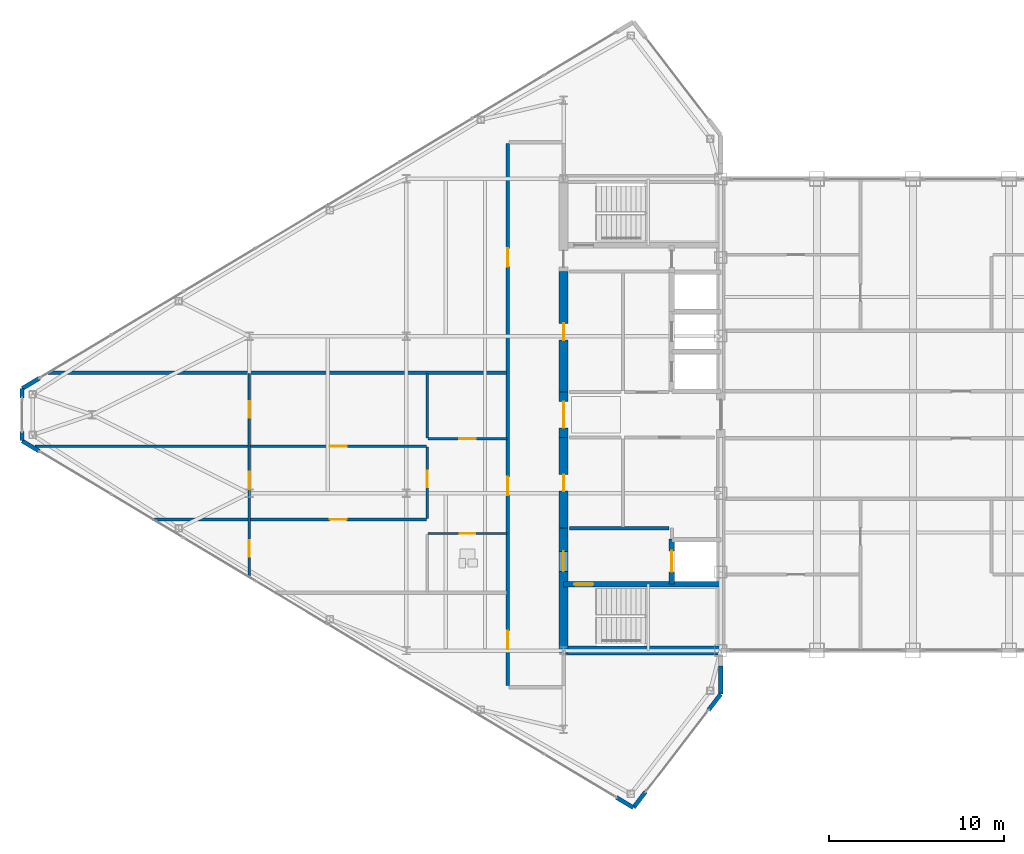
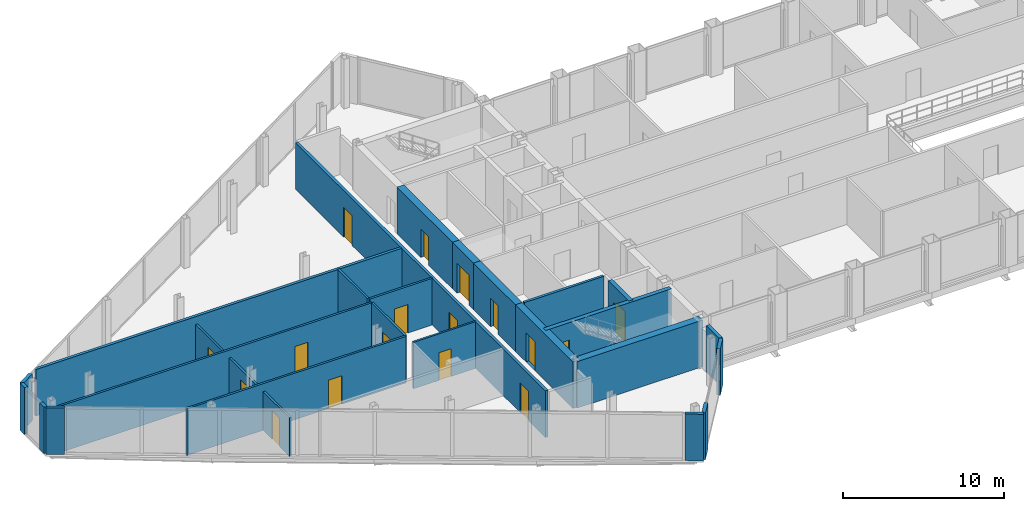
# One storey, part 21 of 29: 25 walls, 17 doors, 17 openings.
"""IFC4 building model written with IfcOpenShell, lengths in metres."""

from ifc_helpers import new_model, si_unit, direction, frame, frame_2d, origin, place, context, subcontext, project, spatial, rectangle, extrude, source, transform, mapped, material, layer, layer_set, type_object, type_shapes, element, fill, save


model = new_model("IFC4")

# Units and contexts
model_context = context("Model", 3, precision=1e-05, world=origin(), true_north=direction((0.0, 1.0)))
body_context = subcontext(model_context, "Body", "Model", "MODEL_VIEW")
ifc_project = project(units=[si_unit("LENGTHUNIT", "METRE"), si_unit("AREAUNIT", "SQUARE_METRE"), si_unit("VOLUMEUNIT", "CUBIC_METRE"), si_unit("PLANEANGLEUNIT", "RADIAN"), si_unit("MASSUNIT", "GRAM", prefix="KILO")], contexts=[model_context])

# Site, building, storey
site_placement = place(None, origin())
site = spatial("IfcSite", under=ifc_project, at=site_placement, CompositionType="ELEMENT")
building_placement = place(site_placement, origin())
building = spatial("IfcBuilding", under=site, at=building_placement, Name="Seokmaru Belvedere", CompositionType="ELEMENT")
storey_placement = place(building_placement, frame((0.0, 0.0, 250.64990234375)))
storey = spatial("IfcBuildingStorey", under=building, at=storey_placement, Name="L66", CompositionType="ELEMENT", Elevation=250.64990234375)

# Wall, opening, door
ifc_material_1 = material(Name="Fire-Rated Gypsum Shaftwall")
ifc_layer_1 = layer(ifc_material_1, 0.14990234375)
ifc_layer_set_1 = layer_set([ifc_layer_1], Name="Fire-Rated Gypsum Shaftwall")
wall_type_1 = type_object("IfcWallType", Name="Apartment Fire-Acoustic Room Partition 150", PredefinedType="PARTITIONING", material=ifc_layer_set_1)
wall_1_placement = place(storey_placement, frame((-60.034912109375, -6.0, 0.0), z_axis=(0.0, 0.0, 1.0), x_axis=(1.0, 0.0, 0.0)))
wall_1 = element("IfcWall", 1, at=wall_1_placement, inside=storey, type_object=wall_type_1, Name="L66 Interior Partition 010", PredefinedType="PARTITIONING", context=body_context, shape_type="SweptSolid", body=[
    extrude(rectangle(XDim=15.684814453125, YDim=0.14990234375, at=frame_2d((7.84228515625, 0.0))), origin(), (0.0, 0.0, 1.0), 3.530029296875),
])
opening_1_placement = place(wall_1_placement, frame((10.159912109375, 0.0, 0.0)))
opening_1 = element("IfcOpeningElement", 2, at=opening_1_placement, cuts=wall_1, Name="Opening D05", PredefinedType="OPENING", context=body_context, shape_type="SweptSolid", body=[
    extrude(rectangle(XDim=0.949951171875, YDim=2.14990234375, at=frame_2d((0.47509765625, 1.074951171875))), frame((0.0, 0.0849609375, 0.0), z_axis=(0.0, -1.0, 0.0), x_axis=(1.0, 0.0, 0.0)), (0.0, 0.0, 1.0), 0.169921875),
])
ifc_material_2 = material(Name="Engineered White Oak Timber", Category="wood")
door_type_1 = type_object("IfcDoorType", Name="Apartment Interior Fire-Rated Oak Door 950x2150", OperationType="NOTDEFINED", PredefinedType="DOOR", material=ifc_material_2)
shared_shape_1 = source(origin(), body_context, "Body", "SweptSolid", [
    extrude(rectangle(XDim=0.949951171875, YDim=2.14990234375, at=frame_2d((0.47509765625, 1.074951171875))), frame((0.0, 0.02490234375, 0.0), z_axis=(0.0, -1.0, 0.0), x_axis=(1.0, 0.0, 0.0)), (0.0, 0.0, 1.0), 0.050048828125),
])
type_shapes(door_type_1, [shared_shape_1])
door_1_placement = place(opening_1_placement, origin())
door_1 = element("IfcDoor", 3, at=door_1_placement, inside=storey, type_object=door_type_1, Name="L66 Interior Door 007", OperationType="SINGLE_SWING_LEFT", OverallHeight=2.14990234375, OverallWidth=0.949951171875, PredefinedType="DOOR", context=body_context, shape_type="MappedRepresentation", body=[
    mapped(shared_shape_1, transform((0.0, 0.0, 0.0), scale=1.0)),
])
fill(opening_1, door_1)

wall_2_placement = place(storey_placement, frame((-66.757080078125, -1.800048828125, 0.0), z_axis=(0.0, 0.0, 1.0), x_axis=(1.0, 0.0, 0.0)))
wall_2 = element("IfcWall", 4, at=wall_2_placement, inside=storey, type_object=wall_type_1, Name="L66 Interior Partition 014", PredefinedType="PARTITIONING", context=body_context, shape_type="SweptSolid", body=[
    extrude(rectangle(XDim=22.406982421875, YDim=0.14990234375, at=frame_2d((11.20361328125, 0.0))), origin(), (0.0, 0.0, 1.0), 3.530029296875),
])
opening_2_placement = place(wall_2_placement, frame((16.882080078125, 0.0, 0.0)))
opening_2 = element("IfcOpeningElement", 5, at=opening_2_placement, cuts=wall_2, Name="Opening D05", PredefinedType="OPENING", context=body_context, shape_type="SweptSolid", body=[
    extrude(rectangle(XDim=0.949951171875, YDim=2.14990234375, at=frame_2d((0.47509765625, 1.074951171875))), frame((0.0, 0.0849609375, 0.0), z_axis=(0.0, -1.0, 0.0), x_axis=(1.0, 0.0, 0.0)), (0.0, 0.0, 1.0), 0.169921875),
])
door_2_placement = place(opening_2_placement, origin())
door_2 = element("IfcDoor", 6, at=door_2_placement, inside=storey, type_object=door_type_1, Name="L66 Interior Door 008", OperationType="SINGLE_SWING_RIGHT", OverallHeight=2.14990234375, OverallWidth=0.949951171875, PredefinedType="DOOR", context=body_context, shape_type="MappedRepresentation", body=[
    mapped(shared_shape_1, transform((0.0, 0.0, 0.0), scale=1.0)),
])
fill(opening_2, door_2)

wall_3_placement = place(storey_placement, frame((-44.25, -1.3798828125, 0.0), z_axis=(0.0, 0.0, 1.0), x_axis=(1.0, 0.0, 0.0)))
wall_3 = element("IfcWall", 7, at=wall_3_placement, inside=storey, type_object=wall_type_1, Name="L66 Interior Partition 015", PredefinedType="PARTITIONING", context=body_context, shape_type="SweptSolid", body=[
    extrude(rectangle(XDim=4.5, YDim=0.14990234375, at=frame_2d((2.25, 0.0))), origin(), (0.0, 0.0, 1.0), 3.530029296875),
])
opening_3_placement = place(wall_3_placement, frame((1.77490234375, 0.0, 0.0)))
opening_3 = element("IfcOpeningElement", 8, at=opening_3_placement, cuts=wall_3, Name="Opening D05", PredefinedType="OPENING", context=body_context, shape_type="SweptSolid", body=[
    extrude(rectangle(XDim=0.949951171875, YDim=2.14990234375, at=frame_2d((0.47509765625, 1.074951171875))), frame((0.0, 0.0849609375, 0.0), z_axis=(0.0, -1.0, 0.0), x_axis=(1.0, 0.0, 0.0)), (0.0, 0.0, 1.0), 0.169921875),
])
door_3_placement = place(opening_3_placement, origin())
door_3 = element("IfcDoor", 9, at=door_3_placement, inside=storey, type_object=door_type_1, Name="L66 Interior Door 004", OperationType="SINGLE_SWING_LEFT", OverallHeight=2.14990234375, OverallWidth=0.949951171875, PredefinedType="DOOR", context=body_context, shape_type="MappedRepresentation", body=[
    mapped(shared_shape_1, transform((0.0, 0.0, 0.0), scale=1.0)),
])
fill(opening_3, door_3)

# Wall, openings, doors
wall_4_placement = place(storey_placement, frame((-54.5, -9.3349609375, 0.0), z_axis=(0.0, 0.0, 1.0), x_axis=(0.0, 1.0, 0.0)))
wall_4 = element("IfcWall", 10, at=wall_4_placement, inside=storey, type_object=wall_type_1, Name="L66 Interior Partition 031", PredefinedType="PARTITIONING", context=body_context, shape_type="SweptSolid", body=[
    extrude(rectangle(XDim=11.68505859375, YDim=0.14990234375, at=frame_2d((5.842529296875, 0.0))), origin(), (0.0, 0.0, 1.0), 2.93017578125),
])
opening_4_placement = place(wall_4_placement, frame((5.106689453125, 0.0, 0.0)))
opening_4 = element("IfcOpeningElement", 11, at=opening_4_placement, cuts=wall_4, Name="Opening D05", PredefinedType="OPENING", context=body_context, shape_type="SweptSolid", body=[
    extrude(rectangle(XDim=0.949951171875, YDim=2.14990234375, at=frame_2d((0.47509765625, 1.074951171875))), frame((0.0, 0.0849609375, 0.0), z_axis=(0.0, -1.0, 0.0), x_axis=(1.0, 0.0, 0.0)), (0.0, 0.0, 1.0), 0.169921875),
])
opening_5_placement = place(wall_4_placement, frame((1.2099609375, 0.0, 0.0)))
opening_5 = element("IfcOpeningElement", 12, at=opening_5_placement, cuts=wall_4, Name="Opening D05", PredefinedType="OPENING", context=body_context, shape_type="SweptSolid", body=[
    extrude(rectangle(XDim=0.949951171875, YDim=2.14990234375, at=frame_2d((0.47509765625, 1.074951171875))), frame((0.0, 0.0849609375, 0.0), z_axis=(0.0, -1.0, 0.0), x_axis=(1.0, 0.0, 0.0)), (0.0, 0.0, 1.0), 0.169921875),
])
opening_6_placement = place(wall_4_placement, frame((9.159912109375, 0.0, 0.0)))
opening_6 = element("IfcOpeningElement", 13, at=opening_6_placement, cuts=wall_4, Name="Opening D05", PredefinedType="OPENING", context=body_context, shape_type="SweptSolid", body=[
    extrude(rectangle(XDim=0.949951171875, YDim=2.14990234375, at=frame_2d((0.47509765625, 1.074951171875))), frame((0.0, 0.0849609375, 0.0), z_axis=(0.0, -1.0, 0.0), x_axis=(1.0, 0.0, 0.0)), (0.0, 0.0, 1.0), 0.169921875),
])
door_4_placement = place(opening_4_placement, origin())
door_4 = element("IfcDoor", 14, at=door_4_placement, inside=storey, type_object=door_type_1, Name="L66 Interior Door 006", OperationType="SINGLE_SWING_LEFT", OverallHeight=2.14990234375, OverallWidth=0.949951171875, PredefinedType="DOOR", context=body_context, shape_type="MappedRepresentation", body=[
    mapped(shared_shape_1, transform((0.0, 0.0, 0.0), scale=1.0)),
])
fill(opening_4, door_4)
door_5_placement = place(opening_5_placement, origin())
door_5 = element("IfcDoor", 15, at=door_5_placement, inside=storey, type_object=door_type_1, Name="L66 Interior Door 009", OperationType="SINGLE_SWING_RIGHT", OverallHeight=2.14990234375, OverallWidth=0.949951171875, PredefinedType="DOOR", context=body_context, shape_type="MappedRepresentation", body=[
    mapped(shared_shape_1, transform((0.0, 0.0, 0.0), scale=1.0)),
])
fill(opening_5, door_5)
door_6_placement = place(opening_6_placement, origin())
door_6 = element("IfcDoor", 16, at=door_6_placement, inside=storey, type_object=door_type_1, Name="L66 Interior Door 010", OperationType="SINGLE_SWING_LEFT", OverallHeight=2.14990234375, OverallWidth=0.949951171875, PredefinedType="DOOR", context=body_context, shape_type="MappedRepresentation", body=[
    mapped(shared_shape_1, transform((0.0, 0.0, 0.0), scale=1.0)),
])
fill(opening_6, door_6)

# Wall, opening, door
wall_5_placement = place(storey_placement, frame((-44.300048828125, -5.949951171875, 0.0), z_axis=(0.0, 0.0, 1.0), x_axis=(0.0, 1.0, 0.0)))
wall_5 = element("IfcWall", 17, at=wall_5_placement, inside=storey, type_object=wall_type_1, Name="L66 Interior Partition 033", PredefinedType="PARTITIONING", context=body_context, shape_type="SweptSolid", body=[
    extrude(rectangle(XDim=4.099853515625, YDim=0.14990234375, at=frame_2d((2.0498046875, 0.0))), origin(), (0.0, 0.0, 1.0), 3.530029296875),
])
opening_7_placement = place(wall_5_placement, frame((1.79833984375, 0.0, 0.0)))
opening_7 = element("IfcOpeningElement", 18, at=opening_7_placement, cuts=wall_5, Name="Opening D05", PredefinedType="OPENING", context=body_context, shape_type="SweptSolid", body=[
    extrude(rectangle(XDim=0.949951171875, YDim=2.14990234375, at=frame_2d((0.47509765625, 1.074951171875))), frame((0.0, 0.0849609375, 0.0), z_axis=(0.0, -1.0, 0.0), x_axis=(1.0, 0.0, 0.0)), (0.0, 0.0, 1.0), 0.169921875),
])
door_7_placement = place(opening_7_placement, origin())
door_7 = element("IfcDoor", 19, at=door_7_placement, inside=storey, type_object=door_type_1, Name="L66 Interior Door 005", OperationType="SINGLE_SWING_RIGHT", OverallHeight=2.14990234375, OverallWidth=0.949951171875, PredefinedType="DOOR", context=body_context, shape_type="MappedRepresentation", body=[
    mapped(shared_shape_1, transform((0.0, 0.0, 0.0), scale=1.0)),
])
fill(opening_7, door_7)

# Walls
wall_6_placement = place(storey_placement, frame((-44.300048828125, -1.327880859375, 0.0), z_axis=(0.0, 0.0, 1.0), x_axis=(0.0, 1.0, 0.0)))
element("IfcWall", 20, at=wall_6_placement, inside=storey, type_object=wall_type_1, Name="L66 Interior Partition 034", PredefinedType="PARTITIONING", context=body_context, shape_type="SweptSolid", body=[
    extrude(rectangle(XDim=3.677978515625, YDim=0.14990234375, at=frame_2d((1.8388671875, 0.0))), origin(), (0.0, 0.0, 1.0), 3.530029296875),
])
ifc_layer_2 = layer(ifc_material_1, 0.179931640625)
ifc_layer_set_2 = layer_set([ifc_layer_2], Name="Fire-Rated Gypsum Shaftwall")
wall_type_2 = type_object("IfcWallType", Name="Core Service Fire Partition 180", PredefinedType="PARTITIONING", material=ifc_layer_set_2)
wall_7_placement = place(storey_placement, frame((-36.14990234375, -6.5, 0.0), z_axis=(0.0, 0.0, 1.0), x_axis=(1.0, 0.0, 0.0)))
element("IfcWall", 21, at=wall_7_placement, inside=storey, type_object=wall_type_2, Name="L66 West Firefighting Lobby Partition", PredefinedType="PARTITIONING", context=body_context, shape_type="SweptSolid", body=[
    extrude(rectangle(XDim=5.699951171875, YDim=0.179931640625, at=frame_2d((2.85009765625, 0.0))), origin(), (0.0, 0.0, 1.0), 3.530029296875),
])
ifc_layer_3 = layer(ifc_material_1, 0.199951171875)
ifc_layer_set_3 = layer_set([ifc_layer_3], Name="Fire-Rated Gypsum Shaftwall")
wall_type_3 = type_object("IfcWallType", Name="Inter-Tenancy Fire Compartment Partition 200", PredefinedType="PARTITIONING", material=ifc_layer_set_3)
wall_8_placement = place(storey_placement, frame((-66.010009765625, 2.39990234375, 0.0), z_axis=(0.0, 0.0, 1.0), x_axis=(1.0, 0.0, 0.0)))
element("IfcWall", 22, at=wall_8_placement, inside=storey, type_object=wall_type_3, Name="L66 Interior Partition 022", PredefinedType="PARTITIONING", context=body_context, shape_type="SweptSolid", body=[
    extrude(rectangle(XDim=26.22998046875, YDim=0.199951171875, at=frame_2d((13.114990234375, 0.0))), origin(), (0.0, 0.0, 1.0), 3.530029296875),
])

# Wall, openings, doors
wall_9_placement = place(storey_placement, frame((-39.699951171875, -15.514892578125, 0.0), z_axis=(0.0, 0.0, 1.0), x_axis=(0.0, 1.0, 0.0)))
wall_9 = element("IfcWall", 23, at=wall_9_placement, inside=storey, type_object=wall_type_3, Name="L66 Interior Partition 035", PredefinedType="PARTITIONING", context=body_context, shape_type="SweptSolid", body=[
    extrude(rectangle(XDim=31.02978515625, YDim=0.199951171875, at=frame_2d((15.514892578125, 0.0))), origin(), (0.0, 0.0, 1.0), 3.530029296875),
])
opening_8_placement = place(wall_9_placement, frame((2.090087890625, 0.0, 0.0)))
opening_8 = element("IfcOpeningElement", 24, at=opening_8_placement, cuts=wall_9, Name="Opening D03", PredefinedType="OPENING", context=body_context, shape_type="SweptSolid", body=[
    extrude(rectangle(XDim=1.050048828125, YDim=2.25, at=frame_2d((0.52490234375, 1.125))), frame((0.0, 0.10986328125, 0.0), z_axis=(0.0, -1.0, 0.0), x_axis=(1.0, 0.0, 0.0)), (0.0, 0.0, 1.0), 0.219970703125),
])
opening_9_placement = place(wall_9_placement, frame((10.90087890625, 0.0, 0.0)))
opening_9 = element("IfcOpeningElement", 25, at=opening_9_placement, cuts=wall_9, Name="Opening D03", PredefinedType="OPENING", context=body_context, shape_type="SweptSolid", body=[
    extrude(rectangle(XDim=1.050048828125, YDim=2.25, at=frame_2d((0.52490234375, 1.125))), frame((0.0, 0.10986328125, 0.0), z_axis=(0.0, -1.0, 0.0), x_axis=(1.0, 0.0, 0.0)), (0.0, 0.0, 1.0), 0.219970703125),
])
opening_10_placement = place(wall_9_placement, frame((23.989990234375, 0.0, 0.0)))
opening_10 = element("IfcOpeningElement", 26, at=opening_10_placement, cuts=wall_9, Name="Opening D03", PredefinedType="OPENING", context=body_context, shape_type="SweptSolid", body=[
    extrude(rectangle(XDim=1.050048828125, YDim=2.25, at=frame_2d((0.52490234375, 1.125))), frame((0.0, 0.10986328125, 0.0), z_axis=(0.0, -1.0, 0.0), x_axis=(1.0, 0.0, 0.0)), (0.0, 0.0, 1.0), 0.219970703125),
])
ifc_material_3 = material(Name="Fire-Rated Steel Leaf", Category="steel")
door_type_2 = type_object("IfcDoorType", Name="Apartment Entrance Fire Door 1050x2250", OperationType="NOTDEFINED", PredefinedType="DOOR", material=ifc_material_3)
shared_shape_2 = source(origin(), body_context, "Body", "SweptSolid", [
    extrude(rectangle(XDim=1.050048828125, YDim=2.25, at=frame_2d((0.52490234375, 1.125))), frame((0.0, 0.02490234375, 0.0), z_axis=(0.0, -1.0, 0.0), x_axis=(1.0, 0.0, 0.0)), (0.0, 0.0, 1.0), 0.050048828125),
])
type_shapes(door_type_2, [shared_shape_2])
door_8_placement = place(opening_8_placement, origin())
door_8 = element("IfcDoor", 27, at=door_8_placement, inside=storey, type_object=door_type_2, Name="L66 Interior Door 001", OperationType="SINGLE_SWING_RIGHT", OverallHeight=2.25, OverallWidth=1.050048828125, PredefinedType="DOOR", context=body_context, shape_type="MappedRepresentation", body=[
    mapped(shared_shape_2, transform((0.0, 0.0, 0.0), scale=1.0)),
])
fill(opening_8, door_8)
door_9_placement = place(opening_9_placement, origin())
door_9 = element("IfcDoor", 28, at=door_9_placement, inside=storey, type_object=door_type_2, Name="L66 Interior Door 002", OperationType="SINGLE_SWING_LEFT", OverallHeight=2.25, OverallWidth=1.050048828125, PredefinedType="DOOR", context=body_context, shape_type="MappedRepresentation", body=[
    mapped(shared_shape_2, transform((0.0, 0.0, 0.0), scale=1.0)),
])
fill(opening_9, door_9)
door_10_placement = place(opening_10_placement, origin())
door_10 = element("IfcDoor", 29, at=door_10_placement, inside=storey, type_object=door_type_2, Name="L66 Interior Door 011", OperationType="SINGLE_SWING_RIGHT", OverallHeight=2.25, OverallWidth=1.050048828125, PredefinedType="DOOR", context=body_context, shape_type="MappedRepresentation", body=[
    mapped(shared_shape_2, transform((0.0, 0.0, 0.0), scale=1.0)),
])
fill(opening_10, door_10)

# Wall, opening, door
ifc_material_4 = material(Name="Concrete C50 (50 MPa)", Category="concrete")
ifc_layer_4 = layer(ifc_material_4, 0.300048828125)
ifc_layer_set_4 = layer_set([ifc_layer_4], Name="Concrete C50 (50 MPa)")
wall_type_4 = type_object("IfcWallType", Name="Internal Core Stair and Hoistway Wall 300", PredefinedType="SHEAR", material=ifc_layer_set_4)
wall_10_placement = place(storey_placement, frame((-36.5, -9.699951171875, 0.0), z_axis=(0.0, 0.0, 1.0), x_axis=(1.0, 0.0, 0.0)))
wall_10 = element("IfcWall", 30, at=wall_10_placement, inside=storey, type_object=wall_type_4, Name="L66 West Stair ST-1 Enclosure Wall", PredefinedType="SHEAR", context=body_context, shape_type="SweptSolid", body=[
    extrude(rectangle(XDim=9.0, YDim=0.300048828125, at=frame_2d((4.5, 0.0))), origin(), (0.0, 0.0, 1.0), 3.530029296875),
])
opening_11_placement = place(wall_10_placement, frame((0.60009765625, 0.0, 0.0)))
opening_11 = element("IfcOpeningElement", 31, at=opening_11_placement, cuts=wall_10, Name="Opening D01", PredefinedType="OPENING", context=body_context, shape_type="SweptSolid", body=[
    extrude(rectangle(XDim=1.10009765625, YDim=2.199951171875, at=frame_2d((0.550048828125, 1.10009765625))), frame((0.0, 0.16015625, 0.0), z_axis=(0.0, -1.0, 0.0), x_axis=(1.0, 0.0, 0.0)), (0.0, 0.0, 1.0), 0.320068359375),
])
door_type_3 = type_object("IfcDoorType", Name="Special Escape Stair Smokeproof Fire Door 1100x2200", OperationType="NOTDEFINED", PredefinedType="DOOR", material=ifc_material_3)
shared_shape_3 = source(origin(), body_context, "Body", "SweptSolid", [
    extrude(rectangle(XDim=1.10009765625, YDim=2.199951171875, at=frame_2d((0.550048828125, 1.10009765625))), frame((0.0, 0.02490234375, 0.0), z_axis=(0.0, -1.0, 0.0), x_axis=(1.0, 0.0, 0.0)), (0.0, 0.0, 1.0), 0.050048828125),
])
type_shapes(door_type_3, [shared_shape_3])
door_11_placement = place(opening_11_placement, frame((1.10009765625, 0.0, 0.0), z_axis=(0.0, 0.0, 1.0), x_axis=(-1.0, 0.0, 0.0)))
door_11 = element("IfcDoor", 32, at=door_11_placement, inside=storey, type_object=door_type_3, Name="L66 West Special Escape Stair ST-1 Door", OperationType="SINGLE_SWING_LEFT", OverallHeight=2.199951171875, OverallWidth=1.10009765625, PredefinedType="DOOR", context=body_context, shape_type="MappedRepresentation", body=[
    mapped(shared_shape_3, transform((0.0, 0.0, 0.0), scale=1.0)),
])
fill(opening_11, door_11)

wall_11_placement = place(storey_placement, frame((-30.300048828125, -9.679931640625, 0.0), z_axis=(0.0, 0.0, 1.0), x_axis=(0.0, 1.0, 0.0)))
wall_11 = element("IfcWall", 33, at=wall_11_placement, inside=storey, type_object=wall_type_4, Name="L66 West Firefighting Lift Shaft Front Wall", PredefinedType="SHEAR", context=body_context, shape_type="SweptSolid", body=[
    extrude(rectangle(XDim=2.559814453125, YDim=0.300048828125, at=frame_2d((1.27978515625, 0.0))), origin(), (0.0, 0.0, 1.0), 3.530029296875),
])
opening_12_placement = place(wall_11_placement, frame((0.679931640625, 0.0, 0.0)))
opening_12 = element("IfcOpeningElement", 34, at=opening_12_placement, cuts=wall_11, Name="Opening LD2", PredefinedType="OPENING", context=body_context, shape_type="SweptSolid", body=[
    extrude(rectangle(XDim=1.199951171875, YDim=2.25, at=frame_2d((0.60009765625, 1.125))), frame((0.0, 0.16015625, 0.0), z_axis=(0.0, -1.0, 0.0), x_axis=(1.0, 0.0, 0.0)), (0.0, 0.0, 1.0), 0.320068359375),
])
ifc_material_5 = material(Name="Stainless Steel 316", Category="steel")
door_type_4 = type_object("IfcDoorType", Name="Firefighting Lift Sliding Landing Door 1200x2250", OperationType="DOUBLE_DOOR_SLIDING", PredefinedType="DOOR", material=ifc_material_5)
shared_shape_4 = source(origin(), body_context, "Body", "SweptSolid", [
    extrude(rectangle(XDim=1.199951171875, YDim=2.25, at=frame_2d((0.60009765625, 1.125))), frame((0.0, 0.02490234375, 0.0), z_axis=(0.0, -1.0, 0.0), x_axis=(1.0, 0.0, 0.0)), (0.0, 0.0, 1.0), 0.050048828125),
])
type_shapes(door_type_4, [shared_shape_4])
door_12_placement = place(opening_12_placement, origin())
door_12 = element("IfcDoor", 35, at=door_12_placement, inside=storey, type_object=door_type_4, Name="L66 West Firefighting Lift Landing Door", OperationType="DOUBLE_DOOR_SLIDING", OverallHeight=2.25, OverallWidth=1.199951171875, PredefinedType="DOOR", context=body_context, shape_type="MappedRepresentation", body=[
    mapped(shared_shape_4, transform((0.0, 0.0, 0.0), scale=1.0)),
])
fill(opening_12, door_12)

ifc_layer_5 = layer(ifc_material_1, 0.1298828125)
ifc_layer_set_5 = layer_set([ifc_layer_5], Name="Fire-Rated Gypsum Shaftwall")
wall_type_5 = type_object("IfcWallType", Name="Moisture-Resistant Fire-Rated Bathroom Partition 130", PredefinedType="PARTITIONING", material=ifc_layer_set_5)
wall_12_placement = place(storey_placement, frame((-44.25, -6.800048828125, 0.0), z_axis=(0.0, 0.0, 1.0), x_axis=(1.0, 0.0, 0.0)))
wall_12 = element("IfcWall", 36, at=wall_12_placement, inside=storey, type_object=wall_type_5, Name="L66 Interior Partition 009", PredefinedType="PARTITIONING", context=body_context, shape_type="SweptSolid", body=[
    extrude(rectangle(XDim=4.5, YDim=0.1298828125, at=frame_2d((2.25, 0.0))), origin(), (0.0, 0.0, 1.0), 3.530029296875),
])
opening_13_placement = place(wall_12_placement, frame((1.81005859375, 0.0, 0.0)))
opening_13 = element("IfcOpeningElement", 37, at=opening_13_placement, cuts=wall_12, Name="Opening D06", PredefinedType="OPENING", context=body_context, shape_type="SweptSolid", body=[
    extrude(rectangle(XDim=0.8798828125, YDim=2.10009765625, at=frame_2d((0.43994140625, 1.050048828125))), frame((0.0, 0.074951171875, 0.0), z_axis=(0.0, -1.0, 0.0), x_axis=(1.0, 0.0, 0.0)), (0.0, 0.0, 1.0), 0.14990234375),
])
door_type_5 = type_object("IfcDoorType", Name="Bathroom and Restroom Fire-Rated Door 880x2100", OperationType="NOTDEFINED", PredefinedType="DOOR", material=ifc_material_2)
shared_shape_5 = source(origin(), body_context, "Body", "SweptSolid", [
    extrude(rectangle(XDim=0.8798828125, YDim=2.10009765625, at=frame_2d((0.43994140625, 1.050048828125))), frame((0.0, 0.02490234375, 0.0), z_axis=(0.0, -1.0, 0.0), x_axis=(1.0, 0.0, 0.0)), (0.0, 0.0, 1.0), 0.050048828125),
])
type_shapes(door_type_5, [shared_shape_5])
door_13_placement = place(opening_13_placement, origin())
door_13 = element("IfcDoor", 38, at=door_13_placement, inside=storey, type_object=door_type_5, Name="L66 Interior Door 003", OperationType="SINGLE_SWING_LEFT", OverallHeight=2.10009765625, OverallWidth=0.8798828125, PredefinedType="DOOR", context=body_context, shape_type="MappedRepresentation", body=[
    mapped(shared_shape_5, transform((0.0, 0.0, 0.0), scale=1.0)),
])
fill(opening_13, door_13)

# Walls
ifc_material_6 = material(Name="Anodised Bronze Aluminium", Category="aluminium")
ifc_layer_6 = layer(ifc_material_6, 0.239990234375)
ifc_layer_set_6 = layer_set([ifc_layer_6], Name="Anodised Bronze Aluminium")
wall_type_6 = type_object("IfcWallType", Name="Tower Corner Spandrel Closure Wall 240", PredefinedType="SOLIDWALL", material=ifc_layer_set_6)
wall_13_placement = place(storey_placement, frame((-27.5, -15.97998046875, 0.0), z_axis=(0.0, 0.0, 1.0), x_axis=(0.0, 1.0, 0.0)))
element("IfcWall", 39, at=wall_13_placement, inside=storey, type_object=wall_type_6, Name="L66 W Shoulder Closure Wall 1", PredefinedType="SOLIDWALL", context=body_context, shape_type="SweptSolid", body=[
    extrude(rectangle(XDim=1.605224609375, YDim=0.239990234375, at=frame_2d((0.802734375, 0.0))), origin(), (0.0, 0.0, 1.0), 3.530029296875),
])
wall_14_placement = place(storey_placement, frame((-66.513916015625, 2.091796875, 0.0), z_axis=(0.0, 0.0, 1.0), x_axis=(-0.85743623509, -0.514590228002, 0.0)))
element("IfcWall", 40, at=wall_14_placement, inside=storey, type_object=wall_type_6, Name="L66 W Corner Closure Pier 3B", PredefinedType="SOLIDWALL", context=body_context, shape_type="SweptSolid", body=[
    extrude(rectangle(XDim=1.14013671875, YDim=0.239990234375, at=frame_2d((0.570068359375, 0.0))), origin(), (0.0, 0.0, 1.0), 3.530029296875),
])
for number, where, z_axis, x_axis, name in (
    (41, (-67.5, 1.489990234375, 0.0), (0.0, 0.0, 1.0), (0.0, -1.0, 0.0), "L66 W Apex Closure Pier 4A"),
    (42, (-67.5, -0.949951171875, 0.0), (0.0, 0.0, 1.0), (0.0, -1.0, 0.0), "L66 W Apex Closure Pier 4B"),
):
    element("IfcWall", number, at=place(storey_placement, frame(where, z_axis=z_axis, x_axis=x_axis)), inside=storey, type_object=wall_type_6, Name=name, PredefinedType="SOLIDWALL", context=body_context, shape_type="SweptSolid", body=[
        extrude(rectangle(XDim=0.5400390625, YDim=0.239990234375, at=frame_2d((0.27001953125, 0.0))), origin(), (0.0, 0.0, 1.0), 3.530029296875),
    ])
for number, where, z_axis, x_axis, name in (
    (43, (-67.491455078125, -1.505126953125, 0.0), (0.0, 0.0, 1.0), (0.85743623509, -0.514590228002, 0.0), "L66 W Corner Closure Pier 5A"),
    (44, (-33.486083984375, -21.908203125, 0.0), (0.0, 0.0, 1.0), (0.85743623509, -0.514590228002, 0.0), "L66 W Corner Closure Pier 5B"),
    (45, (-32.493896484375, -22.4921875, 0.0), (0.0, 0.0, 1.0), (0.609617623633, 0.792695624408, 0.0), "L66 W Corner Closure Pier 6A"),
    (46, (-28.201171875, -16.91162109375, 0.0), (0.0, 0.0, 1.0), (0.609617623633, 0.792695624408, 0.0), "L66 W Corner Closure Pier 6B"),
):
    element("IfcWall", number, at=place(storey_placement, frame(where, z_axis=z_axis, x_axis=x_axis)), inside=storey, type_object=wall_type_6, Name=name, PredefinedType="SOLIDWALL", context=body_context, shape_type="SweptSolid", body=[
        extrude(rectangle(XDim=1.14013671875, YDim=0.239990234375, at=frame_2d((0.570068359375, 0.0))), origin(), (0.0, 0.0, 1.0), 3.530029296875),
    ])
ifc_layer_7 = layer(ifc_material_4, 0.5)
ifc_layer_set_7 = layer_set([ifc_layer_7], Name="Concrete C50 (50 MPa)")
wall_type_7 = type_object("IfcWallType", Name="Upper Tower Reinforced Concrete Core Wall 500", PredefinedType="SHEAR", material=ifc_layer_set_7)
wall_15_placement = place(storey_placement, frame((-36.5, -13.5, 0.0), z_axis=(0.0, 0.0, 1.0), x_axis=(1.0, 0.0, 0.0)))
element("IfcWall", 47, at=wall_15_placement, inside=storey, type_object=wall_type_7, Name="L66 West South Core Wall", PredefinedType="SHEAR", context=body_context, shape_type="SweptSolid", body=[
    extrude(rectangle(XDim=9.0, YDim=0.5, at=frame_2d((4.5, 0.0))), origin(), (0.0, 0.0, 1.0), 3.530029296875),
])

# Wall, opening, door
wall_16_placement = place(storey_placement, frame((-36.5, -13.64990234375, 0.0), z_axis=(0.0, 0.0, 1.0), x_axis=(0.0, 1.0, 0.0)))
wall_16 = element("IfcWall", 48, at=wall_16_placement, inside=storey, type_object=wall_type_7, Name="L66 West West Core Wall FF", PredefinedType="SHEAR", context=body_context, shape_type="SweptSolid", body=[
    extrude(rectangle(XDim=7.14990234375, YDim=0.5, at=frame_2d((3.574951171875, 0.0))), origin(), (0.0, 0.0, 1.0), 3.530029296875),
])
opening_14_placement = place(wall_16_placement, frame((4.675048828125, 0.0, 0.0)))
opening_14 = element("IfcOpeningElement", 49, at=opening_14_placement, cuts=wall_16, Name="Opening D02", PredefinedType="OPENING", context=body_context, shape_type="SweptSolid", body=[
    extrude(rectangle(XDim=1.14990234375, YDim=2.199951171875, at=frame_2d((0.574951171875, 1.10009765625))), frame((0.0, 0.260009765625, 0.0), z_axis=(0.0, -1.0, 0.0), x_axis=(1.0, 0.0, 0.0)), (0.0, 0.0, 1.0), 0.52001953125),
])
door_type_6 = type_object("IfcDoorType", Name="Lobby and Vestibule Fire Door 1150x2200", OperationType="NOTDEFINED", PredefinedType="DOOR", material=ifc_material_3)
shared_shape_6 = source(origin(), body_context, "Body", "SweptSolid", [
    extrude(rectangle(XDim=1.14990234375, YDim=2.199951171875, at=frame_2d((0.574951171875, 1.10009765625))), frame((0.0, 0.02490234375, 0.0), z_axis=(0.0, -1.0, 0.0), x_axis=(1.0, 0.0, 0.0)), (0.0, 0.0, 1.0), 0.050048828125),
])
type_shapes(door_type_6, [shared_shape_6])
door_14_placement = place(opening_14_placement, frame((1.14990234375, 0.0, 0.0), z_axis=(0.0, 0.0, 1.0), x_axis=(-1.0, 0.0, 0.0)))
door_14 = element("IfcDoor", 50, at=door_14_placement, inside=storey, type_object=door_type_6, Name="L66 West Firefighting Lobby Door", OperationType="SINGLE_SWING_LEFT", OverallHeight=2.199951171875, OverallWidth=1.14990234375, PredefinedType="DOOR", context=body_context, shape_type="MappedRepresentation", body=[
    mapped(shared_shape_6, transform((0.0, 0.0, 0.0), scale=1.0)),
])
fill(opening_14, door_14)

wall_17_placement = place(storey_placement, frame((-36.5, -1.300048828125, 0.0), z_axis=(0.0, 0.0, 1.0), x_axis=(0.0, 1.0, 0.0)))
wall_17 = element("IfcWall", 51, at=wall_17_placement, inside=storey, type_object=wall_type_7, Name="L66 West West Core Wall FOY", PredefinedType="SHEAR", context=body_context, shape_type="SweptSolid", body=[
    extrude(rectangle(XDim=2.60009765625, YDim=0.5, at=frame_2d((1.300048828125, 0.0))), origin(), (0.0, 0.0, 1.0), 3.530029296875),
])
opening_15_placement = place(wall_17_placement, frame((0.550048828125, 0.0, 0.0)))
opening_15 = element("IfcOpeningElement", 52, at=opening_15_placement, cuts=wall_17, Name="Opening D08", PredefinedType="OPENING", context=body_context, shape_type="SweptSolid", body=[
    extrude(rectangle(XDim=1.5, YDim=2.300048828125, at=frame_2d((0.75, 1.14990234375))), frame((0.0, 0.260009765625, 0.0), z_axis=(0.0, -1.0, 0.0), x_axis=(1.0, 0.0, 0.0)), (0.0, 0.0, 1.0), 0.52001953125),
])
door_type_7 = type_object("IfcDoorType", Name="Cross-Corridor Compartment Double Fire Door 1500x2300", OperationType="DOUBLE_SWING_LEFT", PredefinedType="DOOR", material=ifc_material_3)
shared_shape_7 = source(origin(), body_context, "Body", "SweptSolid", [
    extrude(rectangle(XDim=1.5, YDim=2.300048828125, at=frame_2d((0.75, 1.14990234375))), frame((0.0, 0.02490234375, 0.0), z_axis=(0.0, -1.0, 0.0), x_axis=(1.0, 0.0, 0.0)), (0.0, 0.0, 1.0), 0.050048828125),
])
type_shapes(door_type_7, [shared_shape_7])
door_15_placement = place(opening_15_placement, origin())
door_15 = element("IfcDoor", 53, at=door_15_placement, inside=storey, type_object=door_type_7, Name="L66 West Core Foyer Compartment Door", OperationType="DOUBLE_SWING_LEFT", OverallHeight=2.300048828125, OverallWidth=1.5, PredefinedType="DOOR", context=body_context, shape_type="MappedRepresentation", body=[
    mapped(shared_shape_7, transform((0.0, 0.0, 0.0), scale=1.0)),
])
fill(opening_15, door_15)

wall_18_placement = place(storey_placement, frame((-36.5, -6.5, 0.0), z_axis=(0.0, 0.0, 1.0), x_axis=(0.0, 1.0, 0.0)))
wall_18 = element("IfcWall", 54, at=wall_18_placement, inside=storey, type_object=wall_type_7, Name="L66 West West Core Wall CS1", PredefinedType="SHEAR", context=body_context, shape_type="SweptSolid", body=[
    extrude(rectangle(XDim=5.199951171875, YDim=0.5, at=frame_2d((2.60009765625, 0.0))), origin(), (0.0, 0.0, 1.0), 3.530029296875),
])
opening_16_placement = place(wall_18_placement, frame((2.125, 0.0, 0.0)))
opening_16 = element("IfcOpeningElement", 55, at=opening_16_placement, cuts=wall_18, Name="Opening D04", PredefinedType="OPENING", context=body_context, shape_type="SweptSolid", body=[
    extrude(rectangle(XDim=0.949951171875, YDim=2.14990234375, at=frame_2d((0.47509765625, 1.074951171875))), frame((0.0, 0.260009765625, 0.0), z_axis=(0.0, -1.0, 0.0), x_axis=(1.0, 0.0, 0.0)), (0.0, 0.0, 1.0), 0.52001953125),
])
door_type_8 = type_object("IfcDoorType", Name="Core Service Room Fire Door 950x2150", OperationType="NOTDEFINED", PredefinedType="DOOR", material=ifc_material_3)
shared_shape_8 = source(origin(), body_context, "Body", "SweptSolid", [
    extrude(rectangle(XDim=0.949951171875, YDim=2.14990234375, at=frame_2d((0.47509765625, 1.074951171875))), frame((0.0, 0.02490234375, 0.0), z_axis=(0.0, -1.0, 0.0), x_axis=(1.0, 0.0, 0.0)), (0.0, 0.0, 1.0), 0.050048828125),
])
type_shapes(door_type_8, [shared_shape_8])
door_16_placement = place(opening_16_placement, origin())
door_16 = element("IfcDoor", 56, at=door_16_placement, inside=storey, type_object=door_type_8, Name="L66 West Core Service Room Door 1", OperationType="SINGLE_SWING_LEFT", OverallHeight=2.14990234375, OverallWidth=0.949951171875, PredefinedType="DOOR", context=body_context, shape_type="MappedRepresentation", body=[
    mapped(shared_shape_8, transform((0.0, 0.0, 0.0), scale=1.0)),
])
fill(opening_16, door_16)

wall_19_placement = place(storey_placement, frame((-36.5, 1.300048828125, 0.0), z_axis=(0.0, 0.0, 1.0), x_axis=(0.0, 1.0, 0.0)))
wall_19 = element("IfcWall", 57, at=wall_19_placement, inside=storey, type_object=wall_type_7, Name="L66 West West Core Wall CS2", PredefinedType="SHEAR", context=body_context, shape_type="SweptSolid", body=[
    extrude(rectangle(XDim=6.89990234375, YDim=0.5, at=frame_2d((3.449951171875, 0.0))), origin(), (0.0, 0.0, 1.0), 3.530029296875),
])
opening_17_placement = place(wall_19_placement, frame((2.97509765625, 0.0, 0.0)))
opening_17 = element("IfcOpeningElement", 58, at=opening_17_placement, cuts=wall_19, Name="Opening D04", PredefinedType="OPENING", context=body_context, shape_type="SweptSolid", body=[
    extrude(rectangle(XDim=0.949951171875, YDim=2.14990234375, at=frame_2d((0.47509765625, 1.074951171875))), frame((0.0, 0.260009765625, 0.0), z_axis=(0.0, -1.0, 0.0), x_axis=(1.0, 0.0, 0.0)), (0.0, 0.0, 1.0), 0.52001953125),
])
door_17_placement = place(opening_17_placement, origin())
door_17 = element("IfcDoor", 59, at=door_17_placement, inside=storey, type_object=door_type_8, Name="L66 West Core Service Room Door 2", OperationType="SINGLE_SWING_RIGHT", OverallHeight=2.14990234375, OverallWidth=0.949951171875, PredefinedType="DOOR", context=body_context, shape_type="MappedRepresentation", body=[
    mapped(shared_shape_8, transform((0.0, 0.0, 0.0), scale=1.0)),
])
fill(opening_17, door_17)

save(model, "model.ifc")
